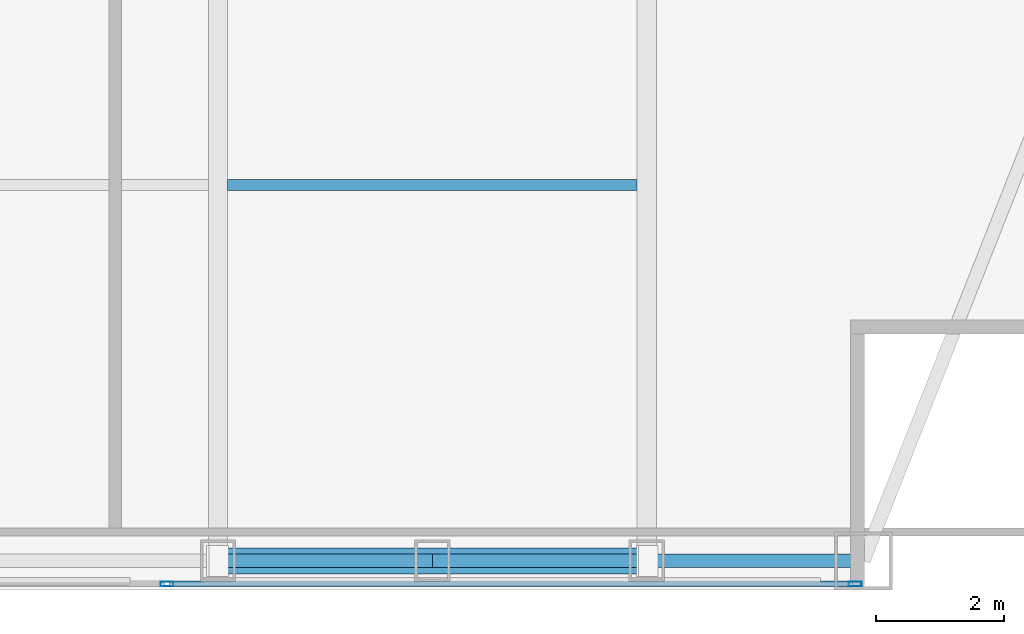
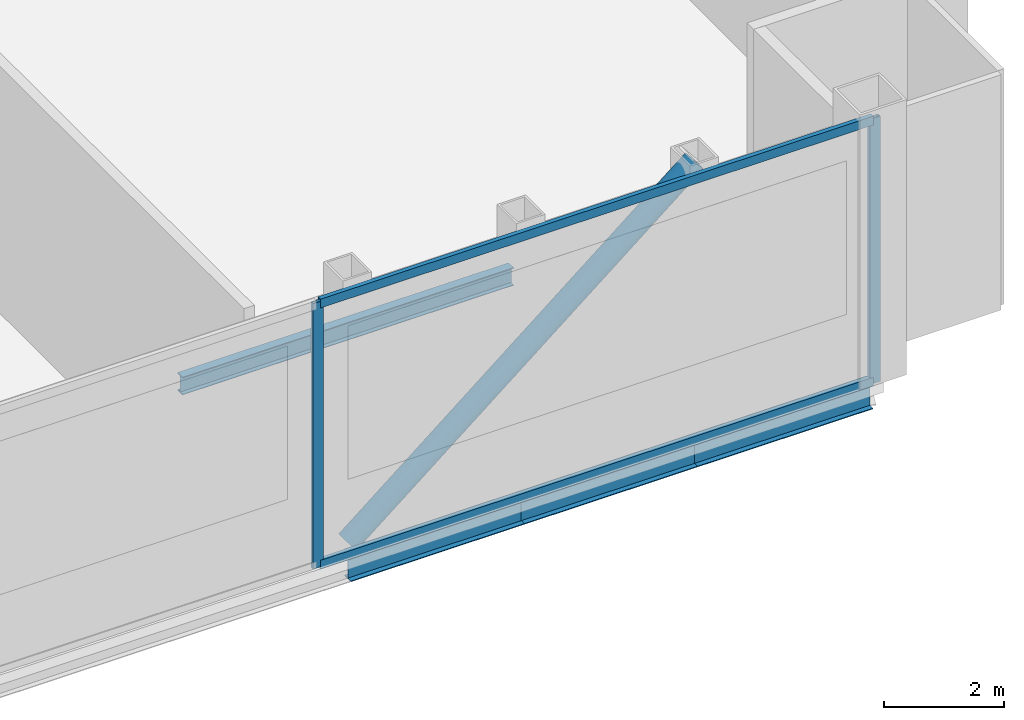
# One storey, part 10 of 22: 5 members, 4 beams, 1 element without a shape of its own.
"""IFC4 building model written with IfcOpenShell, lengths in metres."""

from ifc_helpers import new_model, si_unit, direction, frame, origin, origin_2d, place, context, subcontext, project, spatial, hollow_rectangle, hollow_circle, i_section, extrude, material, material_profile, profile_set, type_object, element, aggregate, save


model = new_model("IFC4")

# Units and contexts
model_context = context("Model", 3, precision=1e-05, world=origin(), true_north=direction((0.0, 1.0)))
body_context = subcontext(model_context, "Body", "Model", "MODEL_VIEW")
ifc_project = project(units=[si_unit("LENGTHUNIT", "METRE"), si_unit("AREAUNIT", "SQUARE_METRE"), si_unit("VOLUMEUNIT", "CUBIC_METRE"), si_unit("PLANEANGLEUNIT", "RADIAN"), si_unit("MASSUNIT", "GRAM", prefix="KILO")], contexts=[model_context])

# Site, building, storey
site_placement = place(None, origin())
site = spatial("IfcSite", under=ifc_project, at=site_placement, CompositionType="ELEMENT")
building_placement = place(site_placement, origin())
building = spatial("IfcBuilding", under=site, at=building_placement, Name="Khoronbel Lancet Exchange", CompositionType="ELEMENT")
storey_placement = place(building_placement, frame((0.0, 0.0, 367.39990234375)))
storey = spatial("IfcBuildingStorey", under=building, at=storey_placement, Name="L94", CompositionType="ELEMENT", Elevation=367.39990234375)

# Beams
ifc_material_1 = material(Name="Steel S355", Category="steel")
ifc_material_profile_1 = material_profile(ifc_material_1, i_section(OverallWidth=0.169921875, OverallDepth=0.360107421875, WebThickness=0.008056640625, FlangeThickness=0.0126953125, at=origin_2d()), Name="IPE 360")
ifc_profile_set_1 = profile_set([ifc_material_profile_1], Name="Steel S355")
beam_type_1 = type_object("IfcBeamType", Name="BM-BJ6", PredefinedType="JOIST", material=ifc_profile_set_1)
beam_1_placement = place(storey_placement, frame((48.14990234375, 16.0, -0.3798828125), z_axis=(1.0, 0.0, 0.0), x_axis=(0.0, 1.0, 0.0)))
element("IfcBeam", 1, at=beam_1_placement, inside=storey, type_object=beam_type_1, Name="Level L94 secondary composite joist J03", PredefinedType="JOIST", context=body_context, shape_type="SweptSolid", body=[
    extrude(i_section(OverallWidth=0.169921875, OverallDepth=0.360107421875, WebThickness=0.008056640625, FlangeThickness=0.0126953125, at=origin_2d()), origin(), (0.0, 0.0, 1.0), 6.375),
])
ifc_material_profile_2 = material_profile(ifc_material_1, i_section(OverallWidth=0.2099609375, OverallDepth=0.550048828125, WebThickness=0.010986328125, FlangeThickness=0.01708984375, at=origin_2d()), Name="IPE 550")
ifc_profile_set_2 = profile_set([ifc_material_profile_2], Name="Steel S355")
beam_type_2 = type_object("IfcBeamType", Name="BM-BSP3", PredefinedType="SPANDREL", material=ifc_profile_set_2)
beam_2_placement = place(storey_placement, frame((48.0, 10.14990234375, -0.474853515625), z_axis=(1.0, 0.0, 0.0), x_axis=(0.0, 1.0, 0.0)))
element("IfcBeam", 2, at=beam_2_placement, inside=storey, type_object=beam_type_2, Name="Level L94 perimeter spandrel beam SP05", PredefinedType="SPANDREL", context=body_context, shape_type="SweptSolid", body=[
    extrude(i_section(OverallWidth=0.2099609375, OverallDepth=0.550048828125, WebThickness=0.010986328125, FlangeThickness=0.01708984375, at=origin_2d()), origin(), (0.0, 0.0, 1.0), 3.33740234375),
])
beam_3_placement = place(storey_placement, frame((51.33740234375, 10.14990234375, -0.474853515625), z_axis=(1.0, 0.0, 0.0), x_axis=(0.0, 1.0, 0.0)))
element("IfcBeam", 3, at=beam_3_placement, inside=storey, type_object=beam_type_2, Name="Level L94 perimeter spandrel beam SP06", PredefinedType="SPANDREL", context=body_context, shape_type="SweptSolid", body=[
    extrude(i_section(OverallWidth=0.2099609375, OverallDepth=0.550048828125, WebThickness=0.010986328125, FlangeThickness=0.01708984375, at=origin_2d()), origin(), (0.0, 0.0, 1.0), 3.337646484375),
])
beam_4_placement = place(storey_placement, frame((54.675048828125, 10.14990234375, -0.474853515625), z_axis=(1.0, 0.0, 0.0), x_axis=(0.0, 1.0, 0.0)))
element("IfcBeam", 4, at=beam_4_placement, inside=storey, type_object=beam_type_2, Name="Level L94 perimeter spandrel beam SP07", PredefinedType="SPANDREL", context=body_context, shape_type="SweptSolid", body=[
    extrude(i_section(OverallWidth=0.2099609375, OverallDepth=0.550048828125, WebThickness=0.010986328125, FlangeThickness=0.01708984375, at=origin_2d()), origin(), (0.0, 0.0, 1.0), 3.375),
])

# Curtain wall, members
ifc_material_2 = material(Name="Low-E Solar Control Insulating Glass", Category="glass")
curtain_wall_type = type_object("IfcCurtainWallType", Name="CW-6", PredefinedType="NOTDEFINED", material=ifc_material_2)
curtain_wall_placement = place(storey_placement, origin())
curtain_wall = element("IfcCurtainWall", 5, at=curtain_wall_placement, inside=storey, type_object=curtain_wall_type, Name="Unitised curtain wall CW-L94-E12", PredefinedType="NOTDEFINED")
ifc_material_3 = material(Name="Bronze-Anodised Aluminium 6063-T6", Category="aluminium")
ifc_material_profile_3 = material_profile(ifc_material_3, hollow_rectangle(XDim=0.074951171875, YDim=0.199951171875, WallThickness=0.0048828125, at=origin_2d()), Name="ALU MULLION 75x200")
ifc_profile_set_3 = profile_set([ifc_material_profile_3], Name="Bronze-Anodised Aluminium 6063-T6")
member_type_1 = type_object("IfcMemberType", Name="MEM-CWM2", PredefinedType="MULLION", material=ifc_profile_set_3)
member_1_placement = place(storey_placement, frame((57.922607421875, 9.7900390625, 0.0), z_axis=(0.0, 0.0, 1.0), x_axis=(0.0, -1.0, 0.0)))
member_1 = element("IfcMember", 6, at=member_1_placement, type_object=member_type_1, Name="CW6 mullion 1", PredefinedType="MULLION", context=body_context, shape_type="SweptSolid", body=[
    extrude(hollow_rectangle(XDim=0.074951171875, YDim=0.199951171875, WallThickness=0.0048828125, at=origin_2d()), origin(), (0.0, 0.0, 1.0), 5.400146484375),
])
member_2_placement = place(storey_placement, frame((47.205078125, 9.7900390625, 0.0), z_axis=(0.0, 0.0, 1.0), x_axis=(0.0, -1.0, 0.0)))
member_2 = element("IfcMember", 7, at=member_2_placement, type_object=member_type_1, Name="CW6 mullion 2", PredefinedType="MULLION", context=body_context, shape_type="SweptSolid", body=[
    extrude(hollow_rectangle(XDim=0.074951171875, YDim=0.199951171875, WallThickness=0.0048828125, at=origin_2d()), origin(), (0.0, 0.0, 1.0), 5.400146484375),
])
ifc_material_profile_4 = material_profile(ifc_material_3, hollow_rectangle(XDim=0.0849609375, YDim=0.179931640625, WallThickness=0.0048828125, at=origin_2d()), Name="ALU TRANSOM 85x180")
ifc_profile_set_4 = profile_set([ifc_material_profile_4], Name="Bronze-Anodised Aluminium 6063-T6")
member_type_2 = type_object("IfcMemberType", Name="MEM-CWT1", PredefinedType="USERDEFINED", material=ifc_profile_set_4)
member_3_placement = place(storey_placement, frame((57.885009765625, 9.7900390625, 0.04248046875), z_axis=(-1.0, 0.0, 0.0), x_axis=(0.0, -1.0, 0.0)))
member_3 = element("IfcMember", 8, at=member_3_placement, type_object=member_type_2, Name="CW6 transom 1.1", ObjectType="TRANSOM", PredefinedType="USERDEFINED", context=body_context, shape_type="SweptSolid", body=[
    extrude(hollow_rectangle(XDim=0.0849609375, YDim=0.179931640625, WallThickness=0.0048828125, at=origin_2d()), origin(), (0.0, 0.0, 1.0), 10.642578125),
])
member_4_placement = place(storey_placement, frame((57.885009765625, 9.7900390625, 5.357666015625), z_axis=(-1.0, 0.0, 0.0), x_axis=(0.0, -1.0, 0.0)))
member_4 = element("IfcMember", 9, at=member_4_placement, type_object=member_type_2, Name="CW6 transom 1.2", ObjectType="TRANSOM", PredefinedType="USERDEFINED", context=body_context, shape_type="SweptSolid", body=[
    extrude(hollow_rectangle(XDim=0.0849609375, YDim=0.179931640625, WallThickness=0.0048828125, at=origin_2d()), origin(), (0.0, 0.0, 1.0), 10.642578125),
])
aggregate(curtain_wall, [member_1, member_2, member_3, member_4])

# Member
ifc_material_profile_5 = material_profile(ifc_material_1, hollow_circle(Radius=0.203125, WallThickness=0.02001953125, at=origin_2d()), Name="CHS 406.4x20")
ifc_profile_set_5 = profile_set([ifc_material_profile_5], Name="Steel S355")
member_type_3 = type_object("IfcMemberType", Name="MEM-STR2", PredefinedType="STRUT", material=ifc_profile_set_5)
member_5_placement = place(storey_placement, frame((48.0, 10.14990234375, 0.0), z_axis=(0.776302430453, 0.0, 0.630360640009), x_axis=(0.0, 1.0, 0.0)))
element("IfcMember", 10, at=member_5_placement, inside=storey, type_object=member_type_3, Name="CROWN FRAME diagonal ring brace L94-S2", PredefinedType="STRUT", context=body_context, shape_type="SweptSolid", body=[
    extrude(hollow_circle(Radius=0.203125, WallThickness=0.02001953125, at=origin_2d()), origin(), (0.0, 0.0, 1.0), 8.5986328125),
])

save(model, "model.ifc")
